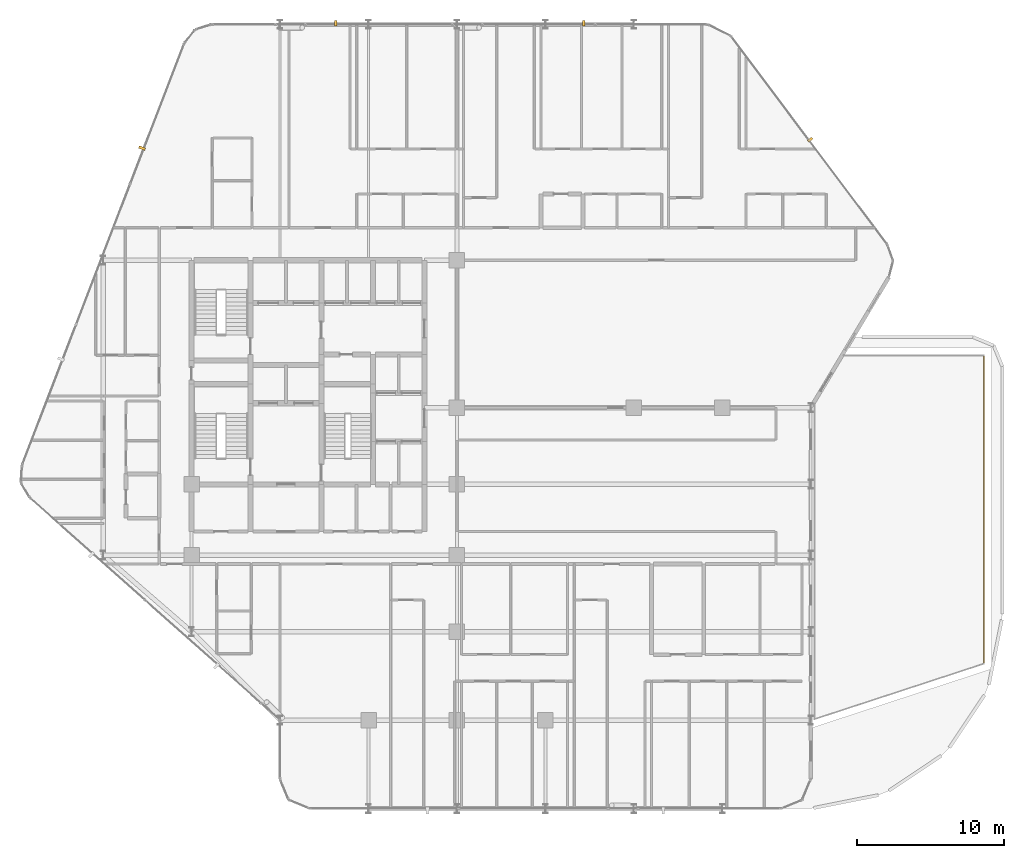
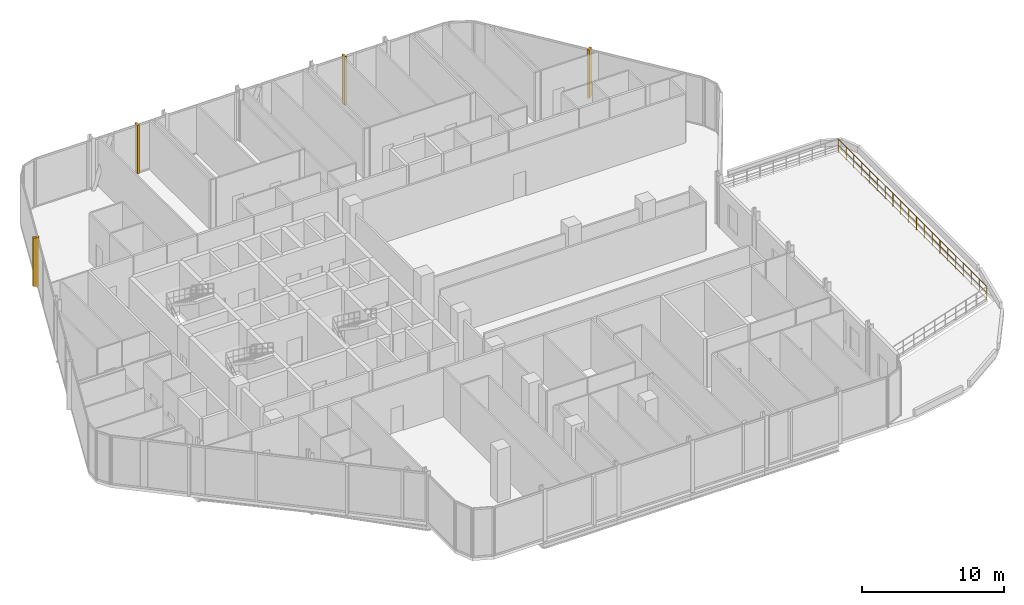
# One storey, part 30 of 30: 4 coverings, 1 railing.
"""IFC4 building model written with IfcOpenShell, lengths in metres."""

from ifc_helpers import new_model, si_unit, direction, frame, origin, origin_2d, place, context, subcontext, project, spatial, rectangle, circle, extrude, material, layer, layer_set, type_object, element, save


model = new_model("IFC4")

# Units and contexts
model_context = context("Model", 3, precision=1e-05, world=origin(), true_north=direction((0.0, 1.0)))
body_context = subcontext(model_context, "Body", "Model", "MODEL_VIEW")
ifc_project = project(units=[si_unit("LENGTHUNIT", "METRE"), si_unit("AREAUNIT", "SQUARE_METRE"), si_unit("VOLUMEUNIT", "CUBIC_METRE"), si_unit("PLANEANGLEUNIT", "RADIAN"), si_unit("MASSUNIT", "GRAM", prefix="KILO")], contexts=[model_context])

# Site, building, storey
site_placement = place(None, origin())
site = spatial("IfcSite", under=ifc_project, at=site_placement, CompositionType="ELEMENT")
building_placement = place(site_placement, origin())
building = spatial("IfcBuilding", under=site, at=building_placement, Name="Keshet Zoharim Tower", CompositionType="ELEMENT")
storey_placement = place(building_placement, frame((0.0, 0.0, 86.39990234375)))
storey = spatial("IfcBuildingStorey", under=building, at=storey_placement, Name="L20", CompositionType="ELEMENT", Elevation=86.39990234375)

# Coverings
ifc_material_1 = material(Name="Concrete C50/60 precast", Category="concrete")
covering_type_1 = type_object("IfcCoveringType", Name="FIN-SOL-360", PredefinedType="CLADDING", material=ifc_material_1)
for number, where, z_axis, x_axis, name in (
    (1, (24.780029296875, 53.97998046875, 0.0), (0.0, 0.0, 1.0), (1.0, 0.0, 0.0), "L20 Vertical Precast Solar Fin 07"),
    (2, (41.593994140625, 53.97998046875, 0.0), (0.0, 0.0, 1.0), (1.0, 0.0, 0.0), "L20 Vertical Precast Solar Fin 08"),
    (3, (56.9609375, 46.0859375, 0.0), (0.0, 0.0, 1.0), (0.600000000002, -0.799999999998, 0.0), "L20 Vertical Precast Solar Fin 09"),
):
    element("IfcCovering", number, at=place(storey_placement, frame(where, z_axis=z_axis, x_axis=x_axis)), inside=storey, type_object=covering_type_1, Name=name, PredefinedType="CLADDING", context=body_context, shape_type="SweptSolid", body=[
        extrude(rectangle(XDim=0.159912109375, YDim=0.360107421875, at=origin_2d()), origin(), (0.0, 0.0, 1.0), 4.18505859375),
    ])
covering_type_2 = type_object("IfcCoveringType", Name="FIN-SOL-450", PredefinedType="CLADDING", material=ifc_material_1)
covering_placement = place(storey_placement, frame((11.637939453125, 45.507080078125, 0.0), z_axis=(0.0, 0.0, 1.0), x_axis=(0.358990003907, 0.933341404361, 0.0)))
element("IfcCovering", 4, at=covering_placement, inside=storey, type_object=covering_type_2, Name="L20 Vertical Precast Solar Fin 06", PredefinedType="CLADDING", context=body_context, shape_type="SweptSolid", body=[
    extrude(rectangle(XDim=0.179931640625, YDim=0.449951171875, at=origin_2d()), origin(), (0.0, 0.0, 1.0), 4.18505859375),
])

# Railing
ifc_material_2 = material(Name="Steel S355", Category="steel")
ifc_layer = layer(ifc_material_2, 0.070068359375)
ifc_layer_set = layer_set([ifc_layer], Name="Steel S355")
railing_type = type_object("IfcRailingType", Name="RL-TER-115", PredefinedType="GUARDRAIL", material=ifc_layer_set)
railing_placement = place(storey_placement, frame((68.760009765625, 31.4599609375, 0.0)))
element("IfcRailing", 5, at=railing_placement, inside=storey, type_object=railing_type, Name="L20 Terrace Perimeter Guardrail 01", PredefinedType="GUARDRAIL", context=body_context, shape_type="SweptSolid", body=[
    extrude(circle(Radius=0.02392578125, at=origin_2d()), frame((0.0, 0.0, 1.1259765625), z_axis=(0.0, -1.0, 0.0), x_axis=(1.0, 0.0, 0.0)), (0.0, 0.0, 1.0), 20.930908203125),
    extrude(circle(Radius=0.01611328125, at=origin_2d()), frame((0.0, 0.0, 0.597900390625), z_axis=(0.0, -1.0, 0.0), x_axis=(1.0, 0.0, 0.0)), (0.0, 0.0, 1.0), 20.930908203125),
    extrude(circle(Radius=0.01611328125, at=origin_2d()), frame((0.0, 0.0, 0.1201171875), z_axis=(0.0, -1.0, 0.0), x_axis=(1.0, 0.0, 0.0)), (0.0, 0.0, 1.0), 20.930908203125),
    extrude(circle(Radius=0.02099609375, at=origin_2d()), origin(), (0.0, 0.0, 1.0), 1.101806640625),
    extrude(circle(Radius=0.02099609375, at=origin_2d()), frame((0.0, -1.1015625, 0.0)), (0.0, 0.0, 1.0), 1.101806640625),
    extrude(circle(Radius=0.02099609375, at=origin_2d()), frame((0.0, -2.203369140625, 0.0)), (0.0, 0.0, 1.0), 1.101806640625),
    extrude(circle(Radius=0.02099609375, at=origin_2d()), frame((0.0, -3.304931640625, 0.0)), (0.0, 0.0, 1.0), 1.101806640625),
    extrude(circle(Radius=0.02099609375, at=origin_2d()), frame((0.0, -4.406494140625, 0.0)), (0.0, 0.0, 1.0), 1.101806640625),
    extrude(circle(Radius=0.02099609375, at=origin_2d()), frame((0.0, -5.508056640625, 0.0)), (0.0, 0.0, 1.0), 1.101806640625),
    extrude(circle(Radius=0.02099609375, at=origin_2d()), frame((0.0, -6.60986328125, 0.0)), (0.0, 0.0, 1.0), 1.101806640625),
    extrude(circle(Radius=0.02099609375, at=origin_2d()), frame((0.0, -7.71142578125, 0.0)), (0.0, 0.0, 1.0), 1.101806640625),
    extrude(circle(Radius=0.02099609375, at=origin_2d()), frame((0.0, -8.81298828125, 0.0)), (0.0, 0.0, 1.0), 1.101806640625),
    extrude(circle(Radius=0.02099609375, at=origin_2d()), frame((0.0, -9.91455078125, 0.0)), (0.0, 0.0, 1.0), 1.101806640625),
    extrude(circle(Radius=0.02099609375, at=origin_2d()), frame((0.0, -11.016357421875, 0.0)), (0.0, 0.0, 1.0), 1.101806640625),
    extrude(circle(Radius=0.02099609375, at=origin_2d()), frame((0.0, -12.117919921875, 0.0)), (0.0, 0.0, 1.0), 1.101806640625),
    extrude(circle(Radius=0.02099609375, at=origin_2d()), frame((0.0, -13.219482421875, 0.0)), (0.0, 0.0, 1.0), 1.101806640625),
    extrude(circle(Radius=0.02099609375, at=origin_2d()), frame((0.0, -14.321044921875, 0.0)), (0.0, 0.0, 1.0), 1.101806640625),
    extrude(circle(Radius=0.02099609375, at=origin_2d()), frame((0.0, -15.4228515625, 0.0)), (0.0, 0.0, 1.0), 1.101806640625),
    extrude(circle(Radius=0.02099609375, at=origin_2d()), frame((0.0, -16.5244140625, 0.0)), (0.0, 0.0, 1.0), 1.101806640625),
    extrude(circle(Radius=0.02099609375, at=origin_2d()), frame((0.0, -17.6259765625, 0.0)), (0.0, 0.0, 1.0), 1.101806640625),
    extrude(circle(Radius=0.02099609375, at=origin_2d()), frame((0.0, -18.7275390625, 0.0)), (0.0, 0.0, 1.0), 1.101806640625),
    extrude(circle(Radius=0.02099609375, at=origin_2d()), frame((0.0, -19.829345703125, 0.0)), (0.0, 0.0, 1.0), 1.101806640625),
    extrude(circle(Radius=0.02099609375, at=origin_2d()), frame((0.0, -20.930908203125, 0.0)), (0.0, 0.0, 1.0), 1.101806640625),
])

save(model, "model.ifc")
